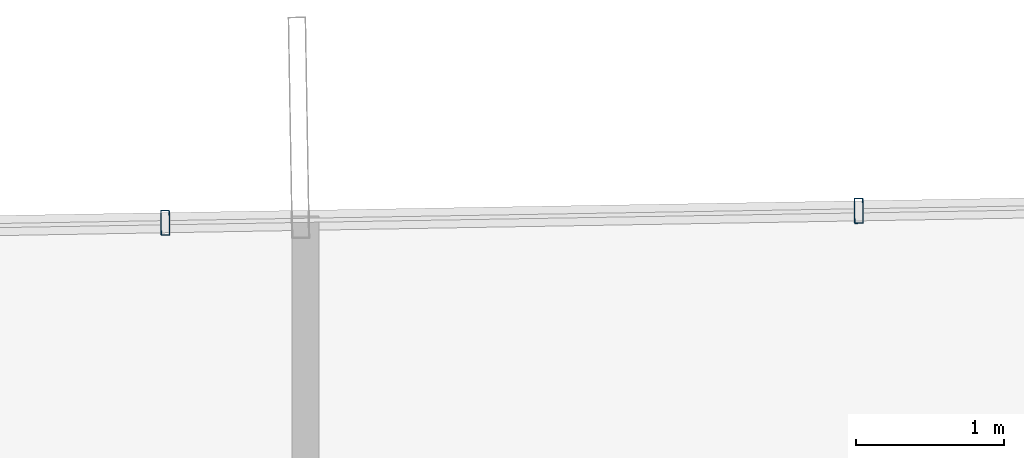
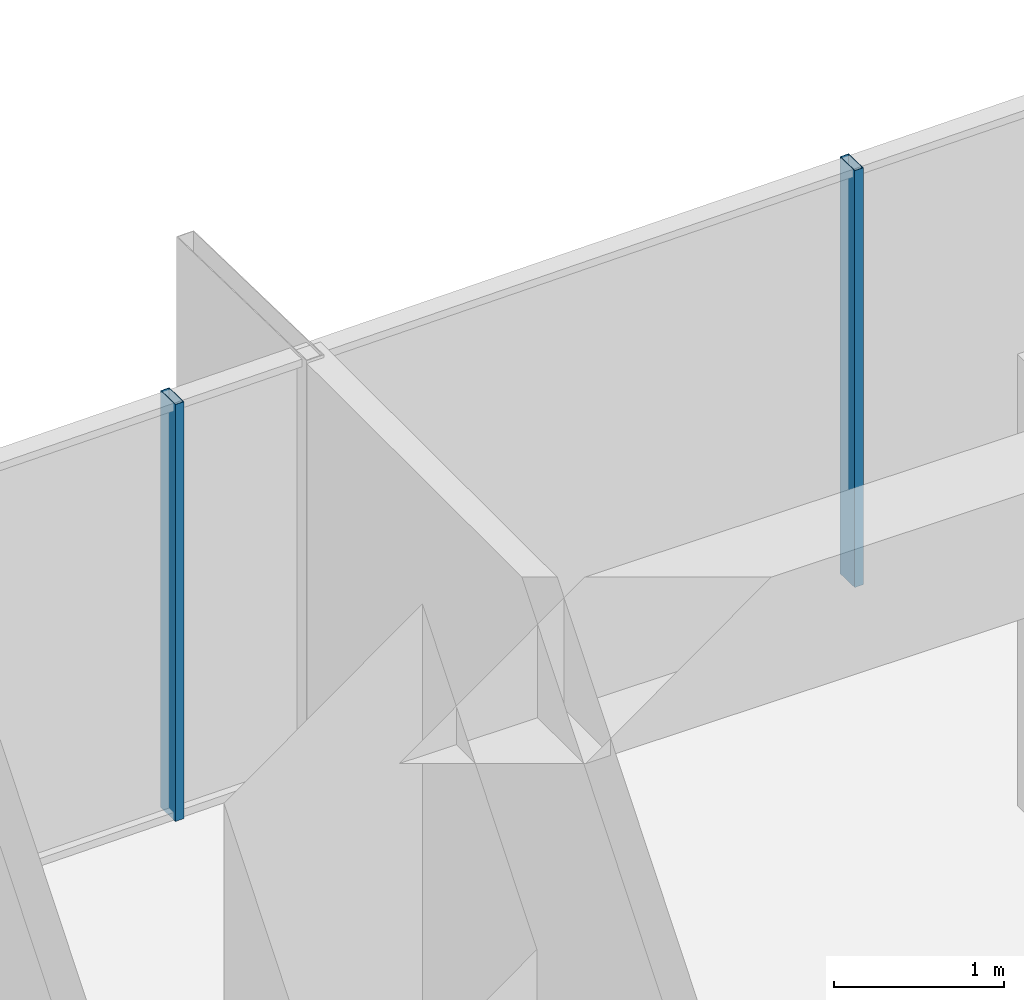
# One storey, part 27 of 39: 2 members, 1 element without a shape of its own.
"""IFC4 building model written with IfcOpenShell, lengths in metres."""

from ifc_helpers import new_model, si_unit, direction, frame, origin, origin_2d, place, context, subcontext, project, spatial, hollow_rectangle, extrude, source, transform, mapped, material, layer, layer_set, material_profile, profile_set, type_object, element, aggregate, save


model = new_model("IFC4")

# Units and contexts
model_context = context("Model", 3, precision=1e-05, world=origin(), true_north=direction((0.0, 1.0)))
body_context = subcontext(model_context, "Body", "Model", "MODEL_VIEW")
ifc_project = project(units=[si_unit("LENGTHUNIT", "METRE"), si_unit("AREAUNIT", "SQUARE_METRE"), si_unit("VOLUMEUNIT", "CUBIC_METRE"), si_unit("PLANEANGLEUNIT", "RADIAN"), si_unit("MASSUNIT", "GRAM", prefix="KILO")], contexts=[model_context])

# Site, building, storey
site_placement = place(None, origin())
site = spatial("IfcSite", under=ifc_project, at=site_placement, CompositionType="ELEMENT")
building_placement = place(site_placement, origin())
building = spatial("IfcBuilding", under=site, at=building_placement, Name="Veraguas Prism Commons", CompositionType="ELEMENT")
storey_placement = place(building_placement, frame((0.0, 0.0, 27.300048828125)))
storey = spatial("IfcBuildingStorey", under=building, at=storey_placement, Name="L06", CompositionType="ELEMENT", Elevation=27.300048828125)

# Curtain wall, members
ifc_material = material(Name="Anodised aluminium EN AW-6063 T6", Category="aluminium")
ifc_layer = layer(ifc_material, 0.169921875, Name="Unitised Flush Curtain Wall Zone 1", Category="aluminium")
ifc_layer_set = layer_set([ifc_layer], Name="Anodised aluminium EN AW-6063 T6")
curtain_wall_type = type_object("IfcCurtainWallType", Name="Unitised Flush Curtain Wall Zone 1", PredefinedType="NOTDEFINED", material=ifc_layer_set)
curtain_wall_placement = place(storey_placement, origin())
curtain_wall = element("IfcCurtainWall", 1, at=curtain_wall_placement, inside=storey, type_object=curtain_wall_type, Name="Tower Facade Curtain Wall L06-F2", PredefinedType="NOTDEFINED")
ifc_material_profile = material_profile(ifc_material, hollow_rectangle(XDim=0.06005859375, YDim=0.169921875, WallThickness=0.00390625, at=origin_2d()), Name="AL60X170X4")
ifc_profile_set = profile_set([ifc_material_profile], Name="Anodised aluminium EN AW-6063 T6")
member_type = type_object("IfcMemberType", Name="Curtain Wall Mullion Lower AL 60x170x4", PredefinedType="MULLION", material=ifc_profile_set)
shared_shape = source(origin(), body_context, "Body", "SweptSolid", [
    extrude(hollow_rectangle(XDim=0.06005859375, YDim=0.169921875, WallThickness=0.00390625, at=origin_2d()), origin(), (0.0, 0.0, 1.0), 3.0),
])
member_1_placement = place(storey_placement, frame((23.64453125, 44.781494140625, 0.0), z_axis=(0.0, 0.0, 1.0), x_axis=(-0.999853696429, -0.017105137769, 0.0)))
member_1 = element("IfcMember", 2, at=member_1_placement, type_object=member_type, Name="CW-Z1 Mullion 3", PredefinedType="MULLION", context=body_context, shape_type="MappedRepresentation", body=[
    mapped(shared_shape, transform((0.0, 0.0, 0.0), scale=1.0)),
])
member_2_placement = place(storey_placement, frame((18.974365234375, 44.70166015625, 0.0), z_axis=(0.0, 0.0, 1.0), x_axis=(-0.999853696429, -0.017105137769, 0.0)))
member_2 = element("IfcMember", 3, at=member_2_placement, type_object=member_type, Name="CW-Z1 Mullion 4", PredefinedType="MULLION", context=body_context, shape_type="MappedRepresentation", body=[
    mapped(shared_shape, transform((0.0, 0.0, 0.0), scale=1.0)),
])
aggregate(curtain_wall, [member_1, member_2])

save(model, "model.ifc")
